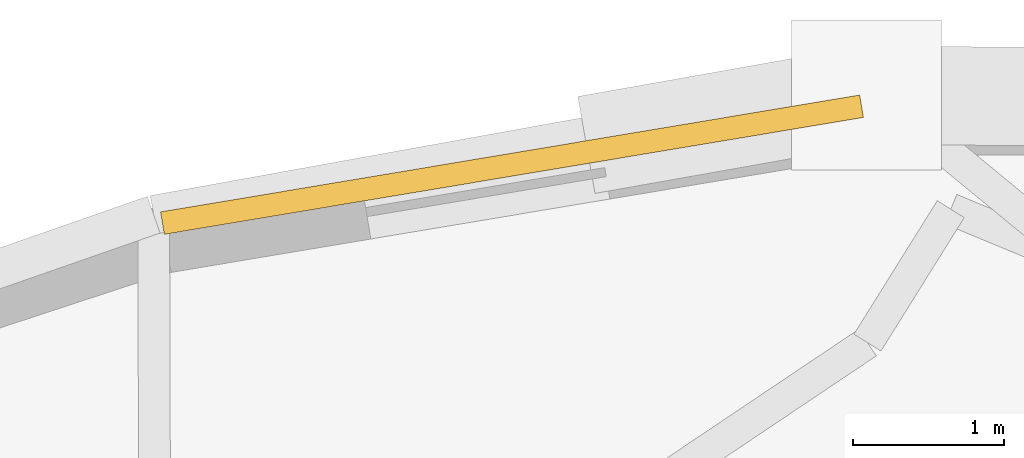
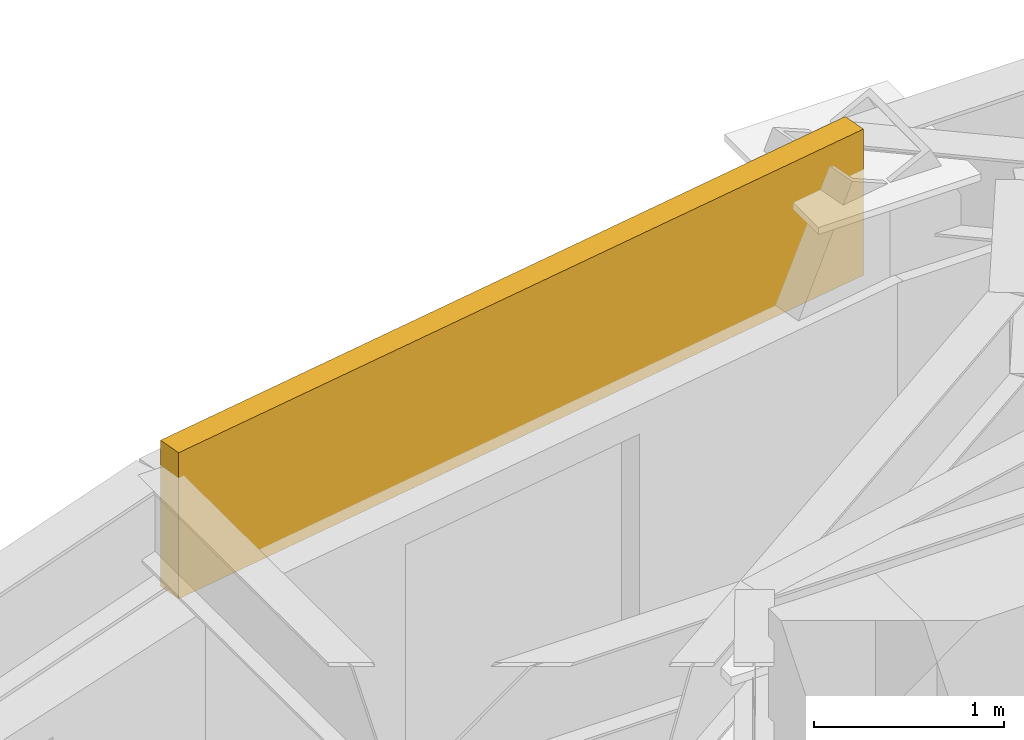
# One storey, part 14 of 14: 1 covering.
"""IFC4 building model written with IfcOpenShell, lengths in metres."""

from ifc_helpers import new_model, si_unit, direction, frame, origin, origin_2d, place, context, subcontext, project, spatial, rectangle, extrude, material, layer, layer_set, type_object, element, save


model = new_model("IFC4")

# Units and contexts
model_context = context("Model", 3, precision=1e-05, world=origin(), true_north=direction((0.0, 1.0)))
body_context = subcontext(model_context, "Body", "Model", "MODEL_VIEW")
ifc_project = project(units=[si_unit("LENGTHUNIT", "METRE"), si_unit("AREAUNIT", "SQUARE_METRE"), si_unit("VOLUMEUNIT", "CUBIC_METRE"), si_unit("PLANEANGLEUNIT", "RADIAN"), si_unit("MASSUNIT", "GRAM", prefix="KILO")], contexts=[model_context])

# Site, building, storey
site_placement = place(None, origin())
site = spatial("IfcSite", under=ifc_project, at=site_placement, CompositionType="ELEMENT")
building_placement = place(site_placement, origin())
building = spatial("IfcBuilding", under=site, at=building_placement, Name="Keldmark Tower", CompositionType="ELEMENT")
storey_placement = place(building_placement, frame((0.0, 0.0, 172.60009765625)))
storey = spatial("IfcBuildingStorey", under=building, at=storey_placement, Name="L47", CompositionType="ELEMENT", Elevation=172.60009765625)

# Covering
ifc_material = material(Name="Honed Kasota Buff Dolomitic Limestone", Category="masonry")
ifc_layer = layer(ifc_material, 0.074951171875)
ifc_layer_set = layer_set([ifc_layer], Name="Honed Kasota Buff Dolomitic Limestone")
covering_type = type_object("IfcCoveringType", Name="Kasota Buff Limestone Spandrel Cladding Band", PredefinedType="CLADDING", material=ifc_layer_set)
covering_placement = place(storey_placement, frame((-4.794189453125, 16.330078125, 2.239013671875), z_axis=(0.0, 0.0, 1.0), x_axis=(-0.986302879874, -0.164944321369, 0.0)))
element("IfcCovering", 1, at=covering_placement, inside=storey, type_object=covering_type, Name="L47 Kasota Limestone Spandrel Band 09", PredefinedType="CLADDING", context=body_context, shape_type="SweptSolid", body=[
    extrude(rectangle(XDim=4.6787109375, YDim=0.14990234375, at=origin_2d()), origin(), (0.0, 0.0, 1.0), 0.94091796875),
])

save(model, "model.ifc")
